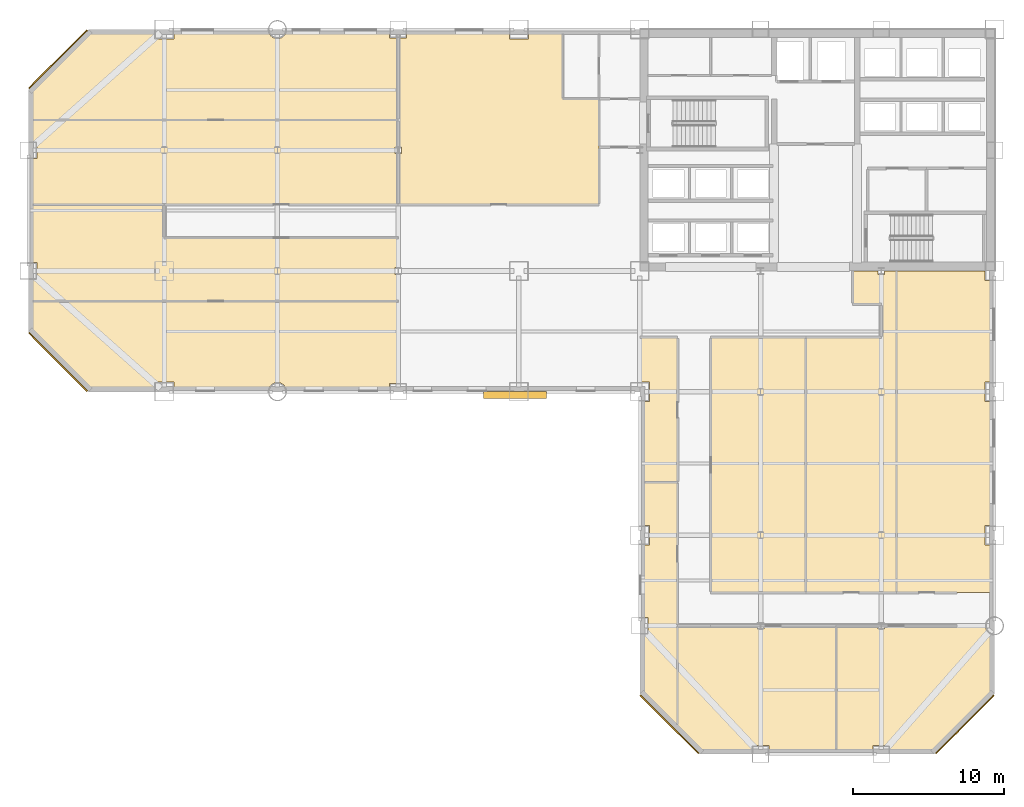
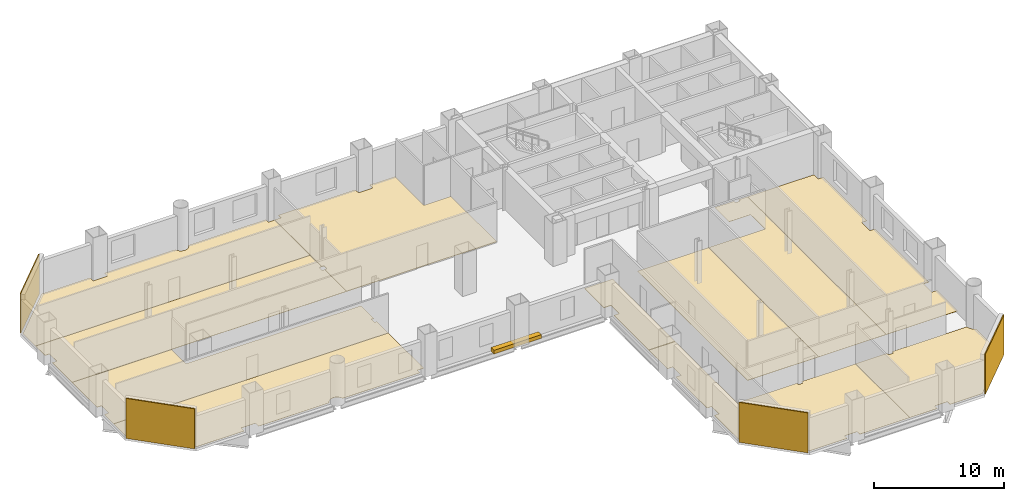
# One storey, part 8 of 9: 16 coverings, 1 shading device.
"""IFC4 building model written with IfcOpenShell, lengths in metres."""

from ifc_helpers import new_model, si_unit, direction, frame, origin, origin_2d, place, context, subcontext, project, spatial, polyline, rectangle, outline, extrude, material, layer, layer_set, type_object, element, save


model = new_model("IFC4")

# Units and contexts
model_context = context("Model", 3, precision=1e-05, world=origin(), true_north=direction((0.0, 1.0)))
body_context = subcontext(model_context, "Body", "Model", "MODEL_VIEW")
ifc_project = project(units=[si_unit("LENGTHUNIT", "METRE"), si_unit("AREAUNIT", "SQUARE_METRE"), si_unit("VOLUMEUNIT", "CUBIC_METRE"), si_unit("PLANEANGLEUNIT", "RADIAN"), si_unit("MASSUNIT", "GRAM", prefix="KILO")], contexts=[model_context])

# Site, building, storey
site_placement = place(None, origin())
site = spatial("IfcSite", under=ifc_project, at=site_placement, CompositionType="ELEMENT")
building_placement = place(site_placement, origin())
building = spatial("IfcBuilding", under=site, at=building_placement, Name="Qianrong Seaharbour Tower", CompositionType="ELEMENT")
storey_placement = place(building_placement, frame((0.0, 0.0, 68.199951171875)))
storey = spatial("IfcBuildingStorey", under=building, at=storey_placement, Name="L16", CompositionType="ELEMENT", Elevation=68.199951171875)

# Coverings
ifc_material_1 = material(Name="Unitised red brick cladding on Precast concrete C45/55", Category="masonry")
ifc_layer_1 = layer(ifc_material_1, 0.080078125)
ifc_layer_set_1 = layer_set([ifc_layer_1], Name="Unitised red brick cladding on Precast concrete C45/55")
covering_type_1 = type_object("IfcCoveringType", Name="COV-CLAD-RED-BRICK-80", PredefinedType="CLADDING", material=ifc_layer_set_1)
for number, where, z_axis, x_axis, name in (
    (1, (1.9716796875, 29.9716796875, 0.0), (0.0, 0.0, 1.0), (-0.707106781187, 0.707106781187, 0.0), "L16 Chamfer Corner Brick Cladding 02"),
    (2, (1.9716796875, 50.0283203125, 0.0), (0.0, 0.0, 1.0), (0.707106781187, 0.707106781187, 0.0), "L16 Chamfer Corner Brick Cladding 04"),
    (3, (62.0283203125, 5.9716796875, 0.0), (0.0, 0.0, 1.0), (-0.707106781187, -0.707106781187, 0.0), "L16 Chamfer Corner Brick Cladding 07"),
    (4, (42.4716796875, 5.9716796875, 0.0), (0.0, 0.0, 1.0), (-0.707106781187, 0.707106781187, 0.0), "L16 Chamfer Corner Brick Cladding 09"),
):
    element("IfcCovering", number, at=place(storey_placement, frame(where, z_axis=z_axis, x_axis=x_axis)), inside=storey, type_object=covering_type_1, Name=name, PredefinedType="CLADDING", context=body_context, shape_type="SweptSolid", body=[
        extrude(rectangle(XDim=5.456787109375, YDim=0.080078125, at=origin_2d()), origin(), (0.0, 0.0, 1.0), 3.75),
    ])
ifc_material_2 = material(Name="Acoustic modular carpet tile flooring")
ifc_layer_2 = layer(ifc_material_2, 0.02001953125)
ifc_layer_set_2 = layer_set([ifc_layer_2], Name="Acoustic modular carpet tile flooring")
covering_type_2 = type_object("IfcCoveringType", Name="COV-FLOOR-CARPET-20", PredefinedType="FLOORING", material=ifc_layer_set_2)
covering_1_placement = place(storey_placement, origin())
element("IfcCovering", 5, at=covering_1_placement, inside=storey, type_object=covering_type_2, Name="L16 Harbour Sunset Lounge 1 Finish Flooring", PredefinedType="FLOORING", context=body_context, shape_type="SweptSolid", body=[
    extrude(outline(polyline([(17.084228515625, 28.1650390625), (17.063720703125, 28.2333984375), (17.007080078125, 28.3388671875), (16.931396484375, 28.431396484375), (16.8388671875, 28.507080078125), (16.7333984375, 28.563720703125), (16.618896484375, 28.598388671875), (16.5, 28.610107421875), (16.381103515625, 28.598388671875), (16.2666015625, 28.563720703125), (16.1611328125, 28.507080078125), (16.068603515625, 28.431396484375), (15.992919921875, 28.3388671875), (15.936279296875, 28.2333984375), (15.915771484375, 28.1650390625), (9.635009765625, 28.1650390625), (9.635009765625, 28.635009765625), (8.364990234375, 28.635009765625), (8.364990234375, 28.1650390625), (4.068359375, 28.1650390625), (0.1650390625, 32.068359375), (0.1650390625, 34.0), (24.5, 34.0), (24.5, 28.56005859375), (23.93994140625, 28.56005859375), (23.93994140625, 28.1650390625), (17.084228515625, 28.1650390625)])), origin(), (0.0, 0.0, 1.0), 0.02001953125),
])
covering_2_placement = place(storey_placement, origin())
element("IfcCovering", 6, at=covering_2_placement, inside=storey, type_object=covering_type_2, Name="L16 Barista Coffee Pantry 2 Finish Flooring", PredefinedType="FLOORING", context=body_context, shape_type="SweptSolid", body=[
    extrude(outline(polyline([(0.1650390625, 34.0), (0.1650390625, 35.43994140625), (0.56005859375, 35.43994140625), (0.56005859375, 36.56005859375), (0.1650390625, 36.56005859375), (0.1650390625, 40.39990234375), (9.0, 40.39990234375), (9.0, 38.199951171875), (24.5, 38.199951171875), (24.5, 36.22412109375), (24.28662109375, 36.22412109375), (24.28662109375, 35.77587890625), (24.5, 35.77587890625), (24.5, 34.0), (0.1650390625, 34.0)])), origin(), (0.0, 0.0, 1.0), 0.02001953125),
])
covering_3_placement = place(storey_placement, origin())
element("IfcCovering", 7, at=covering_3_placement, inside=storey, type_object=covering_type_2, Name="L16 Quiet Sitting Lounge 4 Finish Flooring", PredefinedType="FLOORING", context=body_context, shape_type="SweptSolid", body=[
    extrude(outline(polyline([(0.1650390625, 47.931640625), (4.068359375, 51.8349609375), (8.364990234375, 51.8349609375), (8.364990234375, 51.364990234375), (9.635009765625, 51.364990234375), (9.635009765625, 51.8349609375), (15.915771484375, 51.8349609375), (15.936279296875, 51.7666015625), (15.992919921875, 51.6611328125), (16.068603515625, 51.568603515625), (16.1611328125, 51.492919921875), (16.2666015625, 51.436279296875), (16.381103515625, 51.401611328125), (16.5, 51.389892578125), (16.618896484375, 51.401611328125), (16.7333984375, 51.436279296875), (16.8388671875, 51.492919921875), (16.931396484375, 51.568603515625), (17.007080078125, 51.6611328125), (17.063720703125, 51.7666015625), (17.084228515625, 51.8349609375), (23.93994140625, 51.8349609375), (23.93994140625, 51.43994140625), (24.5, 51.43994140625), (24.5, 46.0), (0.1650390625, 46.0), (0.1650390625, 47.931640625)])), origin(), (0.0, 0.0, 1.0), 0.02001953125),
])
covering_4_placement = place(storey_placement, origin())
element("IfcCovering", 8, at=covering_4_placement, inside=storey, type_object=covering_type_2, Name="L16 Catering Servery Kitchen 2 Finish Flooring", PredefinedType="FLOORING", context=body_context, shape_type="SweptSolid", body=[
    extrude(outline(polyline([(56.5, 31.60009765625), (56.5, 33.800048828125), (54.60009765625, 33.800048828125), (54.60009765625, 36.0), (56.28662109375, 36.0), (56.28662109375, 35.77587890625), (56.71337890625, 35.77587890625), (56.71337890625, 36.0), (57.5, 36.0), (57.5, 14.699951171875), (51.5, 14.699951171875), (51.5, 31.60009765625), (56.5, 31.60009765625)])), origin(), (0.0, 0.0, 1.0), 0.02001953125),
])
covering_5_placement = place(storey_placement, origin())
element("IfcCovering", 9, at=covering_5_placement, inside=storey, type_object=covering_type_2, Name="L16 Staff Lounge 3 Finish Flooring", PredefinedType="FLOORING", context=body_context, shape_type="SweptSolid", body=[
    extrude(outline(polyline([(63.364990234375, 36.0), (63.364990234375, 35.364990234375), (63.8349609375, 35.364990234375), (63.8349609375, 28.635009765625), (63.364990234375, 28.635009765625), (63.364990234375, 27.364990234375), (63.8349609375, 27.364990234375), (63.8349609375, 19.135009765625), (63.364990234375, 19.135009765625), (63.364990234375, 17.864990234375), (63.8349609375, 17.864990234375), (63.8349609375, 14.699951171875), (57.5, 14.699951171875), (57.5, 36.0), (63.364990234375, 36.0)])), origin(), (0.0, 0.0, 1.0), 0.02001953125),
])
covering_6_placement = place(storey_placement, origin())
element("IfcCovering", 10, at=covering_6_placement, inside=storey, type_object=covering_type_2, Name="L16 Wet Pantry 1 Finish Flooring", PredefinedType="FLOORING", context=body_context, shape_type="SweptSolid", body=[
    extrude(outline(polyline([(40.6650390625, 8.068359375), (40.6650390625, 11.93994140625), (41.06005859375, 11.93994140625), (41.06005859375, 13.06005859375), (40.6650390625, 13.06005859375), (40.6650390625, 17.864990234375), (41.135009765625, 17.864990234375), (41.135009765625, 19.135009765625), (40.6650390625, 19.135009765625), (40.6650390625, 22.0), (43.0, 22.0), (43.0, 5.7333984375), (40.6650390625, 8.068359375)])), origin(), (0.0, 0.0, 1.0), 0.02001953125),
])
covering_7_placement = place(storey_placement, origin())
element("IfcCovering", 11, at=covering_7_placement, inside=storey, type_object=covering_type_2, Name="L16 South View Lounge 1 Finish Flooring", PredefinedType="FLOORING", context=body_context, shape_type="SweptSolid", body=[
    extrude(outline(polyline([(53.5, 4.1650390625), (49.06005859375, 4.1650390625), (49.06005859375, 4.56005859375), (47.93994140625, 4.56005859375), (47.93994140625, 4.1650390625), (44.568359375, 4.1650390625), (43.0, 5.7333984375), (43.0, 12.5), (48.28662109375, 12.5), (48.28662109375, 12.27587890625), (48.71337890625, 12.27587890625), (48.71337890625, 12.5), (53.5, 12.5), (53.5, 4.1650390625)])), origin(), (0.0, 0.0, 1.0), 0.02001953125),
])
covering_8_placement = place(storey_placement, origin())
element("IfcCovering", 12, at=covering_8_placement, inside=storey, type_object=covering_type_2, Name="L16 Tea Servery Pantry 2 Finish Flooring", PredefinedType="FLOORING", context=body_context, shape_type="SweptSolid", body=[
    extrude(outline(polyline([(63.8349609375, 8.068359375), (59.931640625, 4.1650390625), (57.06005859375, 4.1650390625), (57.06005859375, 4.56005859375), (55.93994140625, 4.56005859375), (55.93994140625, 4.1650390625), (53.5, 4.1650390625), (53.5, 12.5), (56.28662109375, 12.5), (56.28662109375, 12.27587890625), (56.71337890625, 12.27587890625), (56.71337890625, 12.5), (63.389892578125, 12.5), (63.401611328125, 12.381103515625), (63.436279296875, 12.2666015625), (63.492919921875, 12.1611328125), (63.568603515625, 12.068603515625), (63.6611328125, 11.992919921875), (63.7666015625, 11.936279296875), (63.8349609375, 11.915771484375), (63.8349609375, 8.068359375)])), origin(), (0.0, 0.0, 1.0), 0.02001953125),
])
ifc_material_3 = material(Name="Honed granite stone flooring", Category="masonry")
ifc_layer_3 = layer(ifc_material_3, 0.030029296875)
ifc_layer_set_3 = layer_set([ifc_layer_3], Name="Honed granite stone flooring")
covering_type_3 = type_object("IfcCoveringType", Name="COV-FLOOR-GRANITE-30", PredefinedType="FLOORING", material=ifc_layer_set_3)
covering_9_placement = place(storey_placement, origin())
element("IfcCovering", 13, at=covering_9_placement, inside=storey, type_object=covering_type_3, Name="L16 Hospitality Dining Room 3 Finish Flooring", PredefinedType="FLOORING", context=body_context, shape_type="SweptSolid", body=[
    extrude(outline(polyline([(0.1650390625, 40.39990234375), (0.1650390625, 43.43994140625), (0.56005859375, 43.43994140625), (0.56005859375, 44.56005859375), (0.1650390625, 44.56005859375), (0.1650390625, 46.0), (24.5, 46.0), (24.5, 44.22412109375), (24.28662109375, 44.22412109375), (24.28662109375, 43.77587890625), (24.5, 43.77587890625), (24.5, 40.39990234375), (0.1650390625, 40.39990234375)])), origin(), (0.0, 0.0, 1.0), 0.030029296875),
])
covering_10_placement = place(storey_placement, origin())
element("IfcCovering", 14, at=covering_10_placement, inside=storey, type_object=covering_type_3, Name="L16 East Harbour Dining Salon 1 Finish Flooring", PredefinedType="FLOORING", context=body_context, shape_type="SweptSolid", body=[
    extrude(outline(polyline([(51.5, 31.60009765625), (51.5, 14.699951171875), (45.199951171875, 14.699951171875), (45.199951171875, 31.60009765625), (51.5, 31.60009765625)])), origin(), (0.0, 0.0, 1.0), 0.030029296875),
])
ifc_material_4 = material(Name="Calcium-sulphate raised access floor tile")
ifc_layer_4 = layer(ifc_material_4, 0.044921875)
ifc_layer_set_4 = layer_set([ifc_layer_4], Name="Calcium-sulphate raised access floor tile")
covering_type_4 = type_object("IfcCoveringType", Name="COV-FLOOR-RAISED-45", PredefinedType="FLOORING", material=ifc_layer_set_4)
covering_11_placement = place(storey_placement, origin())
element("IfcCovering", 15, at=covering_11_placement, inside=storey, type_object=covering_type_4, Name="L16 Central Spine Open-Plan Office Finish Flooring", PredefinedType="FLOORING", context=body_context, shape_type="SweptSolid", body=[
    extrude(outline(polyline([(31.864990234375, 51.8349609375), (31.864990234375, 51.364990234375), (33.135009765625, 51.364990234375), (33.135009765625, 51.8349609375), (35.39990234375, 51.8349609375), (35.39990234375, 47.39990234375), (37.800048828125, 47.39990234375), (37.800048828125, 40.39990234375), (24.5, 40.39990234375), (24.5, 43.77587890625), (24.71337890625, 43.77587890625), (24.71337890625, 44.22412109375), (24.5, 44.22412109375), (24.5, 51.43994140625), (25.06005859375, 51.43994140625), (25.06005859375, 51.8349609375), (31.864990234375, 51.8349609375)])), origin(), (0.0, 0.0, 1.0), 0.045166015625),
])
covering_12_placement = place(storey_placement, origin())
element("IfcCovering", 16, at=covering_12_placement, inside=storey, type_object=covering_type_4, Name="L16 Concierge Office 2 Finish Flooring", PredefinedType="FLOORING", context=body_context, shape_type="SweptSolid", body=[
    extrude(outline(polyline([(43.0, 22.0), (40.6650390625, 22.0), (40.6650390625, 27.364990234375), (41.135009765625, 27.364990234375), (41.135009765625, 28.635009765625), (40.5, 28.635009765625), (40.5, 31.60009765625), (43.0, 31.60009765625), (43.0, 22.0)])), origin(), (0.0, 0.0, 1.0), 0.045166015625),
])

# Shading device
ifc_material_5 = material(Name="White architectural precast concrete C45/55", Category="concrete")
shading_device_type = type_object("IfcShadingDeviceType", Name="SHD-SUNSHADE-WHITE-320", PredefinedType="AWNING", material=ifc_material_5)
shading_device_placement = place(storey_placement, frame((32.237548828125, 27.780029296875, -0.02001953125), z_axis=(0.0, 0.0, 1.0), x_axis=(1.0, 0.0, 0.0)))
element("IfcShadingDevice", 17, at=shading_device_placement, inside=storey, type_object=shading_device_type, Name="L16 Climbing White Precast Ribbon Canopy Fin", PredefinedType="AWNING", context=body_context, shape_type="SweptSolid", body=[
    extrude(rectangle(XDim=4.199951171875, YDim=0.4599609375, at=origin_2d()), origin(), (0.0, 0.0, 1.0), 0.340087890625),
])

save(model, "model.ifc")
